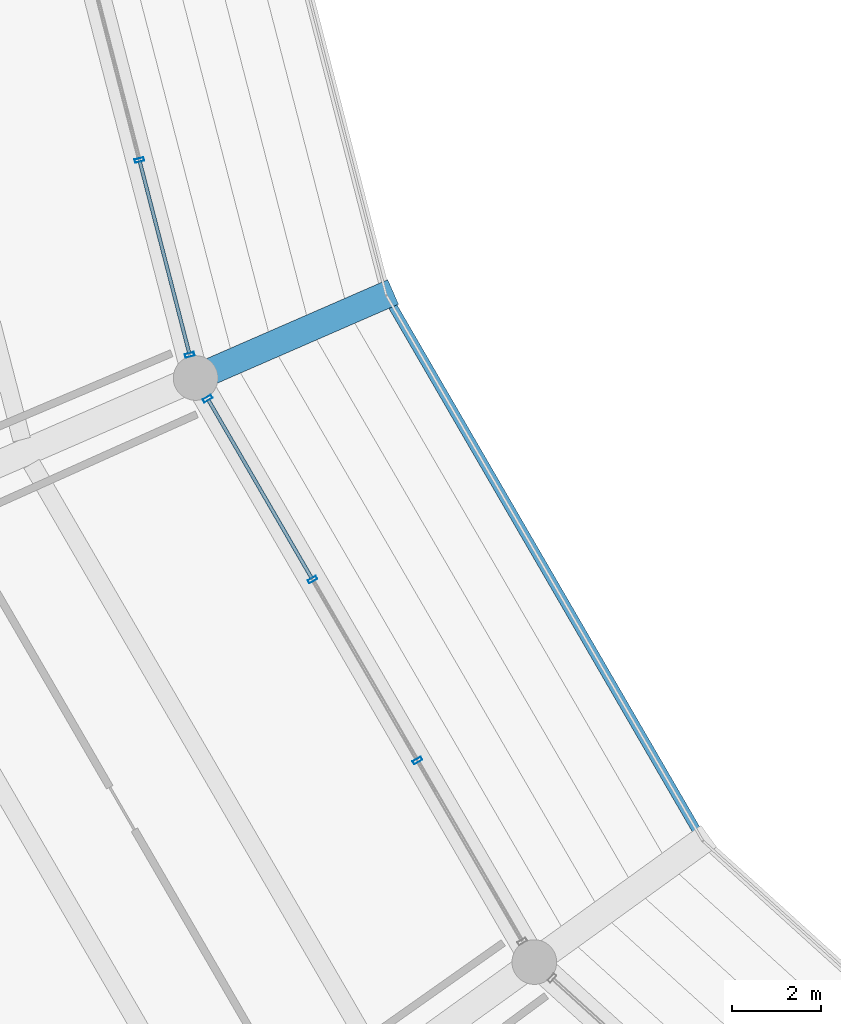
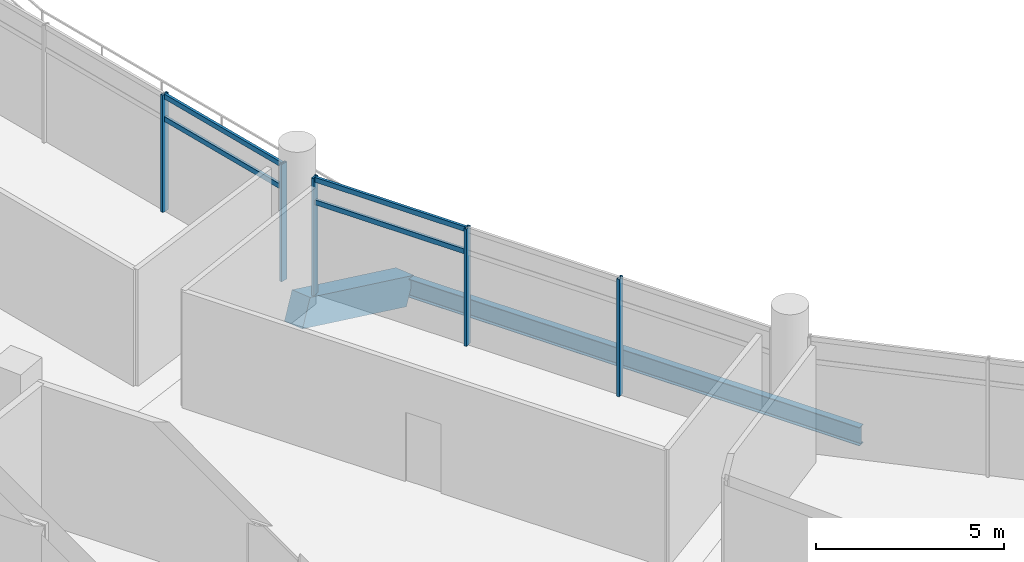
# One storey, part 12 of 171: 9 members, 2 beams, 2 elements without a shape of their own.
"""IFC4 building model written with IfcOpenShell, lengths in metres."""

from ifc_helpers import new_model, si_unit, direction, frame, origin, origin_2d, place, context, subcontext, project, spatial, rectangle, hollow_rectangle, i_section, extrude, material, layer, layer_set, material_profile, profile_set, type_object, element, aggregate, save


model = new_model("IFC4")

# Units and contexts
model_context = context("Model", 3, precision=1e-05, world=origin(), true_north=direction((0.0, 1.0)))
body_context = subcontext(model_context, "Body", "Model", "MODEL_VIEW")
ifc_project = project(units=[si_unit("LENGTHUNIT", "METRE"), si_unit("AREAUNIT", "SQUARE_METRE"), si_unit("VOLUMEUNIT", "CUBIC_METRE"), si_unit("PLANEANGLEUNIT", "RADIAN"), si_unit("MASSUNIT", "GRAM", prefix="KILO")], contexts=[model_context])

# Site, building, storey
site_placement = place(None, origin())
site = spatial("IfcSite", under=ifc_project, at=site_placement, CompositionType="ELEMENT")
building_placement = place(site_placement, origin())
building = spatial("IfcBuilding", under=site, at=building_placement, Name="Kazemori Nagisa Stadium", CompositionType="ELEMENT")
storey_placement = place(building_placement, frame((0.0, 0.0, 15.639892578125)))
storey = spatial("IfcBuildingStorey", under=building, at=storey_placement, Name="L03", CompositionType="ELEMENT", Elevation=15.639892578125)

# Beams
ifc_material_1 = material(Name="Steel SN490B", Category="steel")
ifc_material_profile_1 = material_profile(ifc_material_1, i_section(OverallWidth=0.199951171875, OverallDepth=0.60009765625, WebThickness=0.010986328125, FlangeThickness=0.01708984375, FilletRadius=0.012939453125, at=origin_2d()), Name="H-600x200x11x17")
ifc_profile_set_1 = profile_set([ifc_material_profile_1], Name="Steel SN490B")
beam_type_1 = type_object("IfcBeamType", Name="Beam_BS-H600", PredefinedType="SPANDREL", material=ifc_profile_set_1)
beam_1_placement = place(storey_placement, frame((62.38037109375, 75.57275390625, -2.46484375), z_axis=(0.501617986133, -0.865089241632, 0.0), x_axis=(0.865089241632, 0.501617986133, 0.0)))
element("IfcBeam", 1, at=beam_1_placement, inside=storey, type_object=beam_type_1, Name="Club tier front edge beam 17", PredefinedType="SPANDREL", context=body_context, shape_type="SweptSolid", body=[
    extrude(i_section(OverallWidth=0.199951171875, OverallDepth=0.60009765625, WebThickness=0.010986328125, FlangeThickness=0.01708984375, FilletRadius=0.012939453125, at=origin_2d()), origin(), (0.0, 0.0, 1.0), 14.125732421875),
])
ifc_material_2 = material(Name="Concrete C40/50 (Fc42)", Category="concrete")
ifc_material_profile_2 = material_profile(ifc_material_2, rectangle(XDim=0.60009765625, YDim=0.89990234375, at=origin_2d()), Name="RC-RK-600x900")
ifc_profile_set_2 = profile_set([ifc_material_profile_2], Name="Concrete C40/50 (Fc42)")
beam_type_2 = type_object("IfcBeamType", Name="Beam_RK-RC600X900", PredefinedType="USERDEFINED", material=ifc_profile_set_2)
beam_2_placement = place(storey_placement, frame((62.38037109375, 75.57275390625, -2.58984375), z_axis=(-0.848691975036, -0.369976278445, 0.377941113003), x_axis=(0.399615937981, -0.916682661618, 0.0)))
element("IfcBeam", 2, at=beam_2_placement, inside=storey, type_object=beam_type_2, Name="Raker beam club RK2-17", ObjectType="RAKER BEAM", PredefinedType="USERDEFINED", context=body_context, shape_type="SweptSolid", body=[
    extrude(rectangle(XDim=0.60009765625, YDim=0.89990234375, at=origin_2d()), origin(), (0.0, 0.0, 1.0), 5.027099609375),
])

# Curtain wall, members
ifc_material_3 = material(Name="Anodised aluminium 6063-T5", Category="aluminium")
ifc_layer_1 = layer(ifc_material_3, 0.2099609375, Name="Anodised aluminium 6063-T5", Category="aluminium")
ifc_layer_set_1 = layer_set([ifc_layer_1], Name="Anodised aluminium 6063-T5")
curtain_wall_type_1 = type_object("IfcCurtainWallType", Name="CW_L03B_68", PredefinedType="USERDEFINED", material=ifc_layer_set_1)
curtain_wall_1_placement = place(storey_placement, origin())
curtain_wall_1 = element("IfcCurtainWall", 3, at=curtain_wall_1_placement, inside=storey, type_object=curtain_wall_type_1, Name="Unitised curtain wall CW-L03B-68 L03", ObjectType="UNITISED CURTAIN WALL", PredefinedType="USERDEFINED")
ifc_material_4 = material(Name="Aluminium 6063-T5 anodised", Category="aluminium")
ifc_material_profile_3 = material_profile(ifc_material_4, hollow_rectangle(XDim=0.080078125, YDim=0.2099609375, WallThickness=0.0048828125, at=origin_2d()), Name="ALU-MULL-80x210x5")
ifc_profile_set_3 = profile_set([ifc_material_profile_3], Name="Aluminium 6063-T5 anodised")
member_type_1 = type_object("IfcMemberType", Name="Mullion_M02", PredefinedType="MULLION", material=ifc_profile_set_3)
member_1_placement = place(storey_placement, frame((56.853759765625, 78.594482421875, 0.0), z_axis=(0.0, 0.0, 1.0), x_axis=(0.249964642418, -0.968254965152, 0.0)))
member_1 = element("IfcMember", 4, at=member_1_placement, type_object=member_type_1, Name="Curtain wall mullion CW-L03B-68-M3", PredefinedType="MULLION", context=body_context, shape_type="SweptSolid", body=[
    extrude(hollow_rectangle(XDim=0.080078125, YDim=0.2099609375, WallThickness=0.0048828125, at=origin_2d()), origin(), (0.0, 0.0, 1.0), 3.81005859375),
])
member_2_placement = place(storey_placement, frame((57.980224609375, 74.23095703125, 0.0), z_axis=(0.0, 0.0, 1.0), x_axis=(0.249964642418, -0.968254965152, 0.0)))
member_2 = element("IfcMember", 5, at=member_2_placement, type_object=member_type_1, Name="Curtain wall mullion CW-L03B-68-M4", PredefinedType="MULLION", context=body_context, shape_type="SweptSolid", body=[
    extrude(hollow_rectangle(XDim=0.080078125, YDim=0.2099609375, WallThickness=0.0048828125, at=origin_2d()), origin(), (0.0, 0.0, 1.0), 3.81005859375),
])

ifc_layer_2 = layer(ifc_material_3, 0.2099609375, Name="Anodised aluminium 6063-T5", Category="aluminium")
ifc_layer_set_2 = layer_set([ifc_layer_2], Name="Anodised aluminium 6063-T5")
curtain_wall_type_2 = type_object("IfcCurtainWallType", Name="CW_L03B_71", PredefinedType="USERDEFINED", material=ifc_layer_set_2)
curtain_wall_2_placement = place(storey_placement, origin())
curtain_wall_2 = element("IfcCurtainWall", 6, at=curtain_wall_2_placement, inside=storey, type_object=curtain_wall_type_2, Name="Unitised curtain wall CW-L03B-71 L03", ObjectType="UNITISED CURTAIN WALL", PredefinedType="USERDEFINED")
member_3_placement = place(storey_placement, frame((58.38232421875, 73.25, 0.0), z_axis=(0.0, 0.0, 1.0), x_axis=(0.501611590054, -0.865092950337, 0.0)))
member_3 = element("IfcMember", 7, at=member_3_placement, type_object=member_type_1, Name="Curtain wall mullion CW-L03B-71-M1", PredefinedType="MULLION", context=body_context, shape_type="SweptSolid", body=[
    extrude(hollow_rectangle(XDim=0.080078125, YDim=0.2099609375, WallThickness=0.0048828125, at=origin_2d()), origin(), (0.0, 0.0, 1.0), 3.81005859375),
])
member_4_placement = place(storey_placement, frame((60.731689453125, 69.198486328125, 0.0), z_axis=(0.0, 0.0, 1.0), x_axis=(0.501611590054, -0.865092950337, 0.0)))
member_4 = element("IfcMember", 8, at=member_4_placement, type_object=member_type_1, Name="Curtain wall mullion CW-L03B-71-M2", PredefinedType="MULLION", context=body_context, shape_type="SweptSolid", body=[
    extrude(hollow_rectangle(XDim=0.080078125, YDim=0.2099609375, WallThickness=0.0048828125, at=origin_2d()), origin(), (0.0, 0.0, 1.0), 3.81005859375),
])
member_5_placement = place(storey_placement, frame((63.080810546875, 65.14697265625, 0.0), z_axis=(0.0, 0.0, 1.0), x_axis=(0.501611590054, -0.865092950337, 0.0)))
member_5 = element("IfcMember", 9, at=member_5_placement, type_object=member_type_1, Name="Curtain wall mullion CW-L03B-71-M3", PredefinedType="MULLION", context=body_context, shape_type="SweptSolid", body=[
    extrude(hollow_rectangle(XDim=0.080078125, YDim=0.2099609375, WallThickness=0.0048828125, at=origin_2d()), origin(), (0.0, 0.0, 1.0), 3.81005859375),
])

# Member
ifc_material_profile_4 = material_profile(ifc_material_4, hollow_rectangle(XDim=0.080078125, YDim=0.159912109375, WallThickness=0.00390625, at=origin_2d()), Name="ALU-TRAN-80x160x4")
ifc_profile_set_4 = profile_set([ifc_material_profile_4], Name="Aluminium 6063-T5 anodised")
member_type_2 = type_object("IfcMemberType", Name="Transom_T02", PredefinedType="USERDEFINED", material=ifc_profile_set_4)
member_6_placement = place(storey_placement, frame((56.858642578125, 78.5751953125, 3.010009765625), z_axis=(0.25000034168, -0.96824574833, 0.0), x_axis=(0.96824574833, 0.25000034168, 0.0)))
member_6 = element("IfcMember", 10, at=member_6_placement, type_object=member_type_2, Name="Curtain wall transom CW-L03B-68-T3-mid", ObjectType="TRANSOM", PredefinedType="USERDEFINED", context=body_context, shape_type="SweptSolid", body=[
    extrude(hollow_rectangle(XDim=0.080078125, YDim=0.159912109375, WallThickness=0.00390625, at=origin_2d()), origin(), (0.0, 0.0, 1.0), 4.466796875),
])

member_7_placement = place(storey_placement, frame((56.858642578125, 78.5751953125, 3.739990234375), z_axis=(0.25000034168, -0.96824574833, 0.0), x_axis=(0.96824574833, 0.25000034168, 0.0)))
member_7 = element("IfcMember", 11, at=member_7_placement, type_object=member_type_2, Name="Curtain wall transom CW-L03B-68-T3-head", ObjectType="TRANSOM", PredefinedType="USERDEFINED", context=body_context, shape_type="SweptSolid", body=[
    extrude(hollow_rectangle(XDim=0.080078125, YDim=0.159912109375, WallThickness=0.00390625, at=origin_2d()), origin(), (0.0, 0.0, 1.0), 4.466796875),
])

aggregate(curtain_wall_1, [member_1, member_2, member_6, member_7])

member_8_placement = place(storey_placement, frame((58.392333984375, 73.232666015625, 3.010009765625), z_axis=(0.501610282552, -0.865093708472, 0.0), x_axis=(0.865093708472, 0.501610282552, 0.0)))
member_8 = element("IfcMember", 12, at=member_8_placement, type_object=member_type_2, Name="Curtain wall transom CW-L03B-71-T1-mid", ObjectType="TRANSOM", PredefinedType="USERDEFINED", context=body_context, shape_type="SweptSolid", body=[
    extrude(hollow_rectangle(XDim=0.080078125, YDim=0.159912109375, WallThickness=0.00390625, at=origin_2d()), origin(), (0.0, 0.0, 1.0), 4.643310546875),
])

member_9_placement = place(storey_placement, frame((58.392333984375, 73.232666015625, 3.739990234375), z_axis=(0.501610282552, -0.865093708472, 0.0), x_axis=(0.865093708472, 0.501610282552, 0.0)))
member_9 = element("IfcMember", 13, at=member_9_placement, type_object=member_type_2, Name="Curtain wall transom CW-L03B-71-T1-head", ObjectType="TRANSOM", PredefinedType="USERDEFINED", context=body_context, shape_type="SweptSolid", body=[
    extrude(hollow_rectangle(XDim=0.080078125, YDim=0.159912109375, WallThickness=0.00390625, at=origin_2d()), origin(), (0.0, 0.0, 1.0), 4.643310546875),
])

aggregate(curtain_wall_2, [member_3, member_4, member_5, member_8, member_9])

save(model, "model.ifc")
